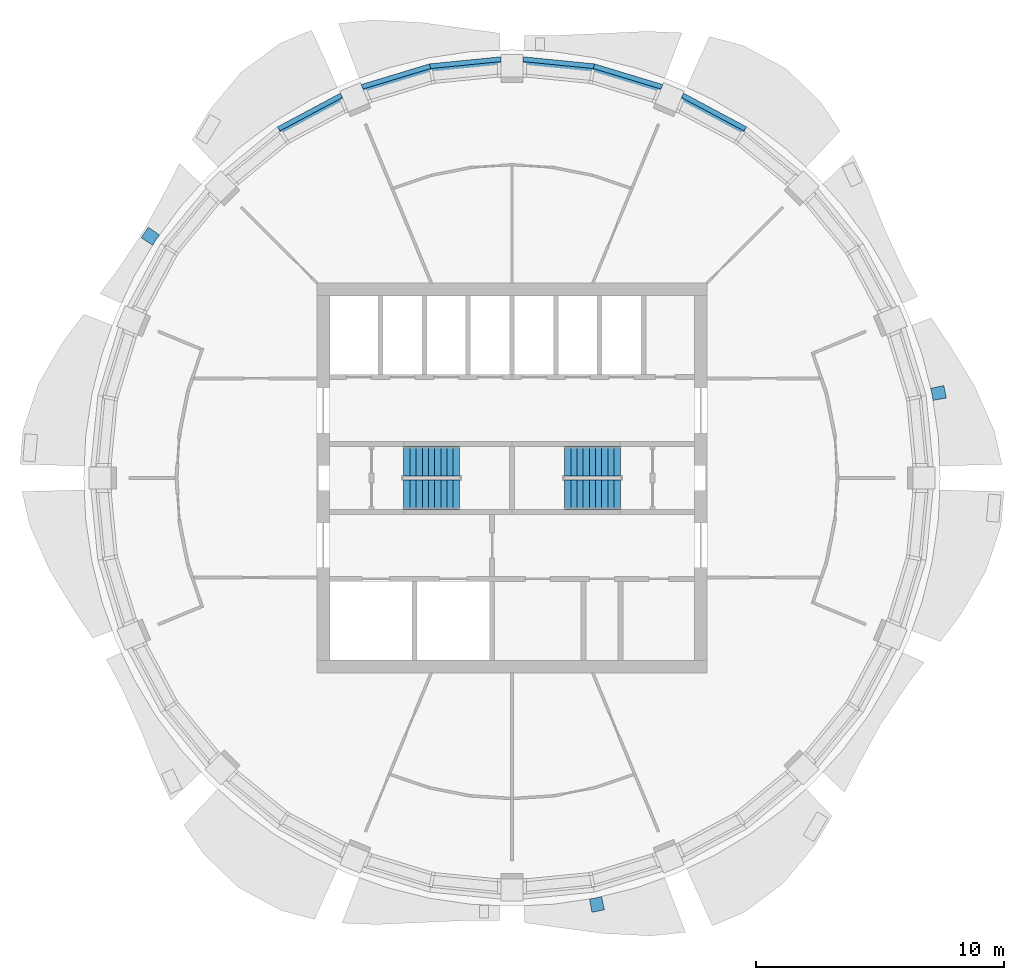
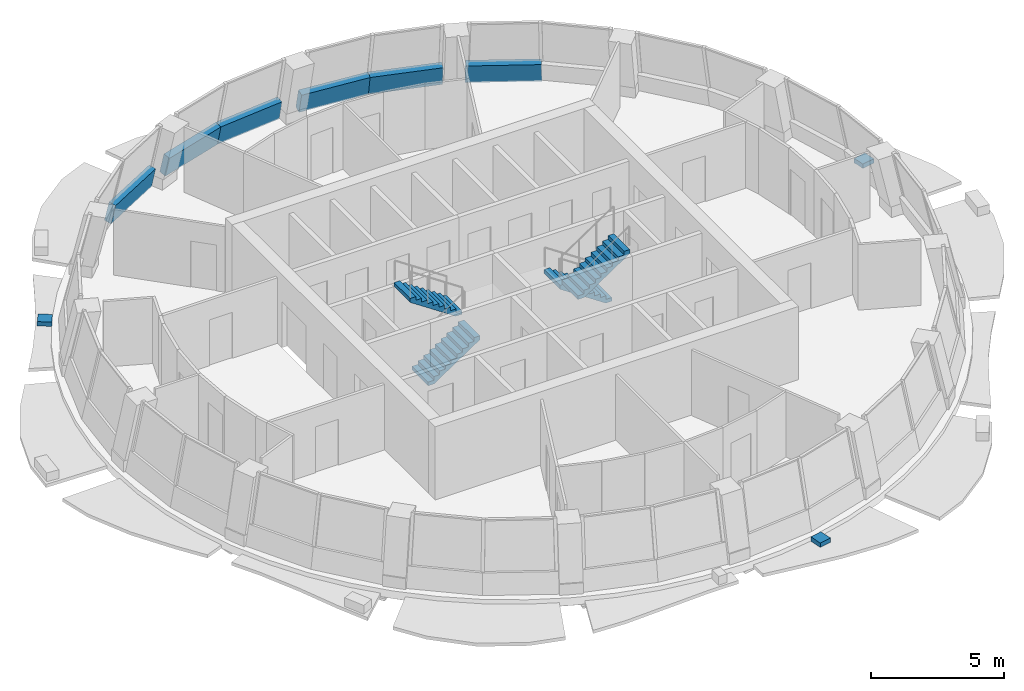
# One storey, part 7 of 11: 6 walls, 4 stair flights, 3 discrete accessories, 2 elements without a shape of their own.
"""IFC4 building model written with IfcOpenShell, lengths in metres."""

import ifcopenshell
import ifcopenshell.guid

model = None  # the IFC model being written
_history = None  # IfcOwnerHistory: only IFC2X3 demands one
_inside = {}  # id of a spatial element -> (the spatial element, [elements in it])
_under = {}  # id of a project, library or spatial element -> (it, [spatial elements below it])
_declared = {}  # id of a project -> (the project, [libraries it declares])
_typed = {}  # id of a type object -> (the type object, [elements of that type])
_made_of = {}  # id of a material, layer set ... -> (it, [elements and type objects made of it])


def new_model(schema):
    """Start an empty IFC model of exactly this schema.

    Asked for "IFC4X3", IfcOpenShell would pick the latest addendum, in which some entities
    have other attributes; the version numbers below select the first issue.
    IFC2X3 requires an IfcOwnerHistory on every rooted entity: one is made here for all.
    """
    global model, _history
    if schema == "IFC4X3":
        model = ifcopenshell.file(schema_version=(4, 3, 0, 0))
    else:
        model = ifcopenshell.file(schema=schema)
    _inside.clear()
    _under.clear()
    _declared.clear()
    _typed.clear()
    _made_of.clear()
    _history = None
    if model.schema == "IFC2X3":
        org = make("IfcOrganization", Name="unknown")
        user = make(
            "IfcPersonAndOrganization",
            ThePerson=make("IfcPerson", FamilyName="unknown"),
            TheOrganization=org,
        )
        app = make(
            "IfcApplication",
            ApplicationDeveloper=org,
            Version="unknown",
            ApplicationFullName="unknown",
            ApplicationIdentifier="unknown",
        )
        _history = make(
            "IfcOwnerHistory",
            OwningUser=user,
            OwningApplication=app,
            ChangeAction="ADDED",
            CreationDate=0,
        )
    return model


def make(cls, **values):
    """One entity of the class cls with the attributes given. An attribute that is None is left unset."""
    return model.create_entity(
        cls, **{name: value for name, value in values.items() if value is not None}
    )


def rooted(cls, **values):
    """An entity with a GlobalId (a new one), such as an element, a storey or a relation."""
    return make(cls, GlobalId=ifcopenshell.guid.new(), OwnerHistory=_history, **values)


def si_unit(unit_type, name, prefix=None):
    """IfcSIUnit, for example si_unit("LENGTHUNIT", "METRE", prefix="MILLI")."""
    return make("IfcSIUnit", UnitType=unit_type, Prefix=prefix, Name=name)


def assignment(units):
    """IfcUnitAssignment: the units of a project."""
    return None if units is None else make("IfcUnitAssignment", Units=units)


def point(xyz):
    """IfcCartesianPoint."""
    return None if xyz is None else make("IfcCartesianPoint", Coordinates=xyz)


def direction(xyz):
    """IfcDirection."""
    return None if xyz is None else make("IfcDirection", DirectionRatios=xyz)


def frame(location, z_axis=None, x_axis=None):
    """IfcAxis2Placement3D, a coordinate frame: its origin and axes. An axis left out is left unset."""
    return make(
        "IfcAxis2Placement3D",
        Location=point(location),
        Axis=direction(z_axis),
        RefDirection=direction(x_axis),
    )


def origin():
    """The frame at (0, 0, 0) with its axes left unset."""
    return frame((0.0, 0.0, 0.0))


def place(relative_to, where):
    """IfcLocalPlacement: puts the frame where relative to a parent placement (None: the world)."""
    return make(
        "IfcLocalPlacement", PlacementRelTo=relative_to, RelativePlacement=where
    )


def context(
    kind, dimensions, precision=None, world=None, true_north=None, identifier=None
):
    """IfcGeometricRepresentationContext, for example the 3D "Model" context."""
    return make(
        "IfcGeometricRepresentationContext",
        ContextIdentifier=identifier,
        ContextType=kind,
        CoordinateSpaceDimension=dimensions,
        Precision=precision,
        WorldCoordinateSystem=world,
        TrueNorth=true_north,
    )


def subcontext(parent, identifier, kind, view, scale=None):
    """IfcGeometricRepresentationSubContext, for example "Body" below "Model"."""
    return make(
        "IfcGeometricRepresentationSubContext",
        ContextIdentifier=identifier,
        ContextType=kind,
        ParentContext=parent,
        TargetScale=scale,
        TargetView=view,
    )


def project(units=None, contexts=None):
    """IfcProject with its units and contexts."""
    return rooted(
        "IfcProject",
        Name="project",
        RepresentationContexts=contexts,
        UnitsInContext=assignment(units),
    )


def spatial(cls, under=None, at=None, **own):
    """A site, building, storey or space (cls), placed at a placement, below another one or the project."""
    s = rooted(cls, ObjectPlacement=at, **own)
    if under is not None:
        _under.setdefault(under.id(), (under, []))[1].append(s)
    return s


def polyline(points):
    """IfcPolyline through the points."""
    return make("IfcPolyline", Points=[point(p) for p in points])


def outline(outer, holes=None, kind="AREA"):
    """IfcArbitraryClosedProfileDef: a profile drawn as a closed curve; with holes, ...WithVoids."""
    if holes is None:
        return make("IfcArbitraryClosedProfileDef", ProfileType=kind, OuterCurve=outer)
    return make(
        "IfcArbitraryProfileDefWithVoids",
        ProfileType=kind,
        OuterCurve=outer,
        InnerCurves=holes,
    )


def extrude(swept, where, along, depth):
    """IfcExtrudedAreaSolid: the profile swept, set in the frame where, extruded along a direction by depth."""
    return make(
        "IfcExtrudedAreaSolid",
        SweptArea=swept,
        Position=where,
        ExtrudedDirection=direction(along),
        Depth=depth,
    )


def shape(context_of_items, identifier, shape_type, items):
    """IfcShapeRepresentation: the items that make up one representation, for example the "Body"."""
    return make(
        "IfcShapeRepresentation",
        ContextOfItems=context_of_items,
        RepresentationIdentifier=identifier,
        RepresentationType=shape_type,
        Items=items,
    )


def material(Name=None, Category=None):
    """IfcMaterial."""
    return make("IfcMaterial", Name=Name, Category=Category)


def layer(
    of_material, thickness, ventilated=None, Name=None, Category=None, Priority=None
):
    """IfcMaterialLayer: one layer of a wall or slab, of a material (None: an air gap)."""
    return make(
        "IfcMaterialLayer",
        Material=of_material,
        LayerThickness=thickness,
        IsVentilated=ventilated,
        Name=Name,
        Category=Category,
        Priority=Priority,
    )


def layer_set(layers, Name=None):
    """IfcMaterialLayerSet."""
    return make("IfcMaterialLayerSet", MaterialLayers=layers, LayerSetName=Name)


def made_of(thing, what):
    """Note that an element or type object is made of a material, layer set ...; save() writes the relation."""
    if what is not None:
        _made_of.setdefault(what.id(), (what, []))[1].append(thing)
    return thing


def type_object(cls, material=None, **own):
    """A type object (cls), such as IfcWallType, which elements share."""
    return made_of(rooted(cls, **own), material)


def element(
    cls,
    number,
    at=None,
    inside=None,
    cuts=None,
    type_object=None,
    material=None,
    context=None,
    identifier="Body",
    shape_type=None,
    held_by="IfcProductDefinitionShape",
    body=None,
    shapes=None,
    **own,
):
    """One element of the class cls, such as IfcWall. Its Tag is "e" and its number.

    at: its placement. inside: the storey or other place that contains it. cuts: it is an
    opening in that element (IfcRelVoidsElement). A single representation is given by context,
    identifier, shape_type and body (its items); several are given by shapes. held_by: the class
    of the entity that holds the representations. save() writes the other relations.
    """
    e = rooted(cls, Tag="e%d" % number, ObjectPlacement=at, **own)
    if body is not None:
        shapes = [shape(context, identifier, shape_type, body)]
    if shapes is not None:
        e.Representation = make(held_by, Representations=shapes)
    if inside is not None:
        _inside.setdefault(inside.id(), (inside, []))[1].append(e)
    if cuts is not None:
        rooted(
            "IfcRelVoidsElement", RelatingBuildingElement=cuts, RelatedOpeningElement=e
        )
    if type_object is not None:
        _typed.setdefault(type_object.id(), (type_object, []))[1].append(e)
    return made_of(e, material)


def aggregate(whole, parts):
    """IfcRelAggregates: a whole, such as a stair, and the parts it consists of."""
    return rooted("IfcRelAggregates", RelatingObject=whole, RelatedObjects=parts)


def save(model, path):
    """Write the relations noted so far, then the file.

    IfcRelAggregates (storeys below a building ...), IfcRelContainedInSpatialStructure (elements
    in a storey), IfcRelDefinesByType, IfcRelAssociatesMaterial and IfcRelDeclares: one each for
    every whole, place, type object, material and project.
    """
    for whole, parts in _under.values():
        aggregate(whole, parts)
    for where, things in _inside.values():
        rooted(
            "IfcRelContainedInSpatialStructure",
            RelatedElements=things,
            RelatingStructure=where,
        )
    for kind, things in _typed.values():
        rooted("IfcRelDefinesByType", RelatedObjects=things, RelatingType=kind)
    for what, things in _made_of.values():
        rooted("IfcRelAssociatesMaterial", RelatedObjects=things, RelatingMaterial=what)
    for by, libraries in _declared.values():
        rooted("IfcRelDeclares", RelatingContext=by, RelatedDefinitions=libraries)
    model.write(path)


model = new_model("IFC4")

# Units and contexts
model_context = context("Model", 3, precision=1e-05, world=origin(), true_north=direction((0.0, 1.0)))
body_context = subcontext(model_context, "Body", "Model", "MODEL_VIEW")
ifc_project = project(units=[si_unit("LENGTHUNIT", "METRE"), si_unit("AREAUNIT", "SQUARE_METRE"), si_unit("VOLUMEUNIT", "CUBIC_METRE"), si_unit("PLANEANGLEUNIT", "RADIAN"), si_unit("MASSUNIT", "GRAM", prefix="KILO")], contexts=[model_context])

# Site, building, storey
site_placement = place(None, origin())
site = spatial("IfcSite", under=ifc_project, at=site_placement, CompositionType="ELEMENT")
building_placement = place(site_placement, origin())
building = spatial("IfcBuilding", under=site, at=building_placement, Name="Polderwave Tower", CompositionType="ELEMENT")
storey_placement = place(building_placement, frame((0.0, 0.0, 204.39990234375)))
storey = spatial("IfcBuildingStorey", under=building, at=storey_placement, Name="L55", CompositionType="ELEMENT", Elevation=204.39990234375)

# Walls
ifc_material_1 = material(Name="Concrete C50/60 (board-marked)", Category="concrete")
ifc_layer = layer(ifc_material_1, 0.300048828125)
ifc_layer_set = layer_set([ifc_layer], Name="Concrete spandrel upstand C50/60")
wall_type = type_object("IfcWallType", Name="Concrete spandrel upstand C50/60", PredefinedType="SOLIDWALL", material=ifc_layer_set)
wall_1_placement = place(storey_placement, frame((9.4755859375, 14.18115234375, 0.0), z_axis=(0.460433644275, 0.861898085138, 0.212444228104), x_axis=(-0.882032067156, 0.471189380725, 6.6202e-08)))
element("IfcWall", 1, at=wall_1_placement, inside=storey, type_object=wall_type, Name="Spandrel L55 3b", PredefinedType="SOLIDWALL", context=body_context, shape_type="SweptSolid", body=[
    extrude(outline(polyline([(0.0, 0.0), (2.888615100191614, 5.551115123125783e-17), (2.869352703083372, 0.9209239056599307), (0.019182542241019847, 0.9211741382130918), (0.0, 0.0)])), origin(), (0.0, 0.0, -1.0), 0.300048828125),
])
wall_2_placement = place(storey_placement, frame((6.091796875, 15.889404296875, 0.0), z_axis=(0.28338395091, 0.935152492223, 0.212563761391), x_axis=(-0.957023433845, 0.29001059817, 4.460531e-06)))
element("IfcWall", 2, at=wall_2_placement, inside=storey, type_object=wall_type, Name="Spandrel L55 4a", PredefinedType="SOLIDWALL", context=body_context, shape_type="SweptSolid", body=[
    extrude(outline(polyline([(0.0, 0.0), (2.8885260507207984, 0.0), (2.869278186481872, 0.9209355015571417), (0.019219181632370762, 0.9212115477480832), (0.0, 0.0)])), origin(), (0.0, 0.0, -1.0), 0.300048828125),
])
wall_3_placement = place(storey_placement, frame((3.327392578125, 16.72705078125, 0.0), z_axis=(0.09607411987, 0.972506225061, 0.212135347619), x_axis=(-0.995155769469, 0.098310703755, 4.446659e-06)))
element("IfcWall", 3, at=wall_3_placement, inside=storey, type_object=wall_type, Name="Spandrel L55 4b", PredefinedType="SOLIDWALL", context=body_context, shape_type="SweptSolid", body=[
    extrude(outline(polyline([(0.0, 0.0), (2.888743782706167, 6.938893903907228e-18), (2.8694504694765173, 0.9210976353176993), (0.019211109710525674, 0.9211237489550932), (0.0, 0.0)])), origin(), (0.0, 0.0, -1.0), 0.300048828125),
])
wall_4_placement = place(storey_placement, frame((-0.45263671875, 17.010986328125, 0.0), z_axis=(-0.096030261393, 0.97248307566, 0.212261292872), x_axis=(-0.99515974322, -0.098270470922, 4.332109e-06)))
element("IfcWall", 4, at=wall_4_placement, inside=storey, type_object=wall_type, Name="Spandrel L55 5a", PredefinedType="SOLIDWALL", context=body_context, shape_type="SweptSolid", body=[
    extrude(outline(polyline([(0.0, 0.0), (2.8887437827391578, -6.938893903907228e-18), (2.86953267296287, 0.9211237490571841), (0.019317309955234726, 0.9211491905893285), (0.0, 0.0)])), origin(), (0.0, 0.0, -1.0), 0.300048828125),
])
wall_5_placement = place(storey_placement, frame((-3.327392578125, 16.72705078125, 0.0), z_axis=(-0.28337916088, 0.935242697182, 0.212172921331), x_axis=(-0.957032145656, -0.289981848011, 2.070465e-06)))
element("IfcWall", 5, at=wall_5_placement, inside=storey, type_object=wall_type, Name="Spandrel L55 5b", PredefinedType="SOLIDWALL", context=body_context, shape_type="SweptSolid", body=[
    extrude(outline(polyline([(0.0, 0.0), (2.888526051219243, 0.0), (2.869165271437796, 0.9211123016820382), (0.019177066654742992, 0.9211244598923397), (0.0, 0.0)])), origin(), (0.0, 0.0, -1.0), 0.300048828125),
])
wall_6_placement = place(storey_placement, frame((-6.927734375, 15.542236328125, 0.0), z_axis=(-0.460490666642, 0.86194406833, 0.212133846912), x_axis=(-0.88201888422, -0.471214057348, -6.139239e-06)))
element("IfcWall", 6, at=wall_6_placement, inside=storey, type_object=wall_type, Name="Spandrel L55 6a", PredefinedType="SOLIDWALL", context=body_context, shape_type="SweptSolid", body=[
    extrude(outline(polyline([(0.0, 0.0), (2.8886150989820782, 0.0), (2.8693175227477177, 0.9211284105833573), (0.019362698188122602, 0.9210923596317686), (0.0, 0.0)])), origin(), (0.0, 0.0, -1.0), 0.300048828125),
])

# Stair, stair flights
ifc_material_2 = material(Name="Concrete C40/50", Category="concrete")
stair_type = type_object("IfcStairType", Name="Exit stair 1200 x 20 risers", PredefinedType="HALF_TURN_STAIR", material=ifc_material_2)
stair_1_placement = place(storey_placement, origin())
stair_1 = element("IfcStair", 7, at=stair_1_placement, inside=storey, type_object=stair_type, Name="L55 Exit stair A", PredefinedType="HALF_TURN_STAIR")
stair_flight_type = type_object("IfcStairFlightType", Name="Stair flight 1200", PredefinedType="STRAIGHT", material=ifc_material_2)
stair_flight_1_placement = place(storey_placement, frame((-4.3740234375, -0.675048828125, 0.0), z_axis=(0.0, 0.0, 1.0), x_axis=(1.0, 0.0, 0.0)))
stair_flight_1 = element("IfcStairFlight", 8, at=stair_flight_1_placement, type_object=stair_flight_type, Name="ST-A flight 1", NumberOfRisers=10, NumberOfTreads=9, PredefinedType="STRAIGHT", RiserHeight=0.1675, TreadLength=0.25, context=body_context, shape_type="SweptSolid", body=[
    extrude(outline(polyline([(0.0, 0.0), (0.0, 0.16748046875), (0.25, 0.16748046875), (0.25, 0.3349609375), (0.5, 0.3349609375), (0.5, 0.50244140625), (0.75, 0.50244140625), (0.75, 0.669921875), (1.0, 0.669921875), (1.0, 0.83740234375), (1.25, 0.83740234375), (1.25, 1.0048828125), (1.5, 1.0048828125), (1.5, 1.172607421875), (1.75, 1.172607421875), (1.75, 1.340087890625), (2.0, 1.340087890625), (2.0, 1.507568359375), (2.25, 1.507568359375), (2.25, 1.675048828125), (2.25, 1.3271484375), (0.269287109375, 0.0), (0.0, 0.0)])), frame((0.0, 0.60009765625, 0.0), z_axis=(0.0, -1.0, 0.0), x_axis=(1.0, 0.0, 0.0)), (0.0, 0.0, 1.0), 1.199951171875),
])
stair_flight_2_placement = place(storey_placement, frame((-2.1240234375, 0.675048828125, 1.675048828125), z_axis=(0.0, 0.0, 1.0), x_axis=(-1.0, 0.0, 0.0)))
stair_flight_2 = element("IfcStairFlight", 9, at=stair_flight_2_placement, type_object=stair_flight_type, Name="ST-A flight 2", NumberOfRisers=10, NumberOfTreads=9, PredefinedType="STRAIGHT", RiserHeight=0.1675, TreadLength=0.25, context=body_context, shape_type="SweptSolid", body=[
    extrude(outline(polyline([(0.0, 0.0), (0.0, 0.16748046875), (0.25, 0.16748046875), (0.25, 0.3349609375), (0.5, 0.3349609375), (0.5, 0.50244140625), (0.75, 0.50244140625), (0.75, 0.669921875), (1.0, 0.669921875), (1.0, 0.83740234375), (1.25, 0.83740234375), (1.25, 1.0048828125), (1.5, 1.0048828125), (1.5, 1.172607421875), (1.75, 1.172607421875), (1.75, 1.340087890625), (2.0, 1.340087890625), (2.0, 1.507568359375), (2.25, 1.507568359375), (2.25, 1.675048828125), (2.25, 1.3271484375), (0.269287109375, 0.0), (0.0, 0.0)])), frame((0.0, 0.60009765625, 0.0), z_axis=(0.0, -1.0, 0.0), x_axis=(1.0, 0.0, 0.0)), (0.0, 0.0, 1.0), 1.199951171875),
])
aggregate(stair_1, [stair_flight_1, stair_flight_2])

stair_2_placement = place(storey_placement, origin())
stair_2 = element("IfcStair", 10, at=stair_2_placement, inside=storey, type_object=stair_type, Name="L55 Exit stair B", PredefinedType="HALF_TURN_STAIR")
stair_flight_3_placement = place(storey_placement, frame((4.3740234375, 0.675048828125, 0.0), z_axis=(0.0, 0.0, 1.0), x_axis=(-1.0, 0.0, 0.0)))
stair_flight_3 = element("IfcStairFlight", 11, at=stair_flight_3_placement, type_object=stair_flight_type, Name="ST-B flight 1", NumberOfRisers=10, NumberOfTreads=9, PredefinedType="STRAIGHT", RiserHeight=0.1675, TreadLength=0.25, context=body_context, shape_type="SweptSolid", body=[
    extrude(outline(polyline([(0.0, 0.0), (0.0, 0.16748046875), (0.25, 0.16748046875), (0.25, 0.3349609375), (0.5, 0.3349609375), (0.5, 0.50244140625), (0.75, 0.50244140625), (0.75, 0.669921875), (1.0, 0.669921875), (1.0, 0.83740234375), (1.25, 0.83740234375), (1.25, 1.0048828125), (1.5, 1.0048828125), (1.5, 1.172607421875), (1.75, 1.172607421875), (1.75, 1.340087890625), (2.0, 1.340087890625), (2.0, 1.507568359375), (2.25, 1.507568359375), (2.25, 1.675048828125), (2.25, 1.3271484375), (0.269287109375, 0.0), (0.0, 0.0)])), frame((0.0, 0.60009765625, 0.0), z_axis=(0.0, -1.0, 0.0), x_axis=(1.0, 0.0, 0.0)), (0.0, 0.0, 1.0), 1.199951171875),
])
stair_flight_4_placement = place(storey_placement, frame((2.1240234375, -0.675048828125, 1.675048828125), z_axis=(0.0, 0.0, 1.0), x_axis=(1.0, 0.0, 0.0)))
stair_flight_4 = element("IfcStairFlight", 12, at=stair_flight_4_placement, type_object=stair_flight_type, Name="ST-B flight 2", NumberOfRisers=10, NumberOfTreads=9, PredefinedType="STRAIGHT", RiserHeight=0.1675, TreadLength=0.25, context=body_context, shape_type="SweptSolid", body=[
    extrude(outline(polyline([(0.0, 0.0), (0.0, 0.16748046875), (0.25, 0.16748046875), (0.25, 0.3349609375), (0.5, 0.3349609375), (0.5, 0.50244140625), (0.75, 0.50244140625), (0.75, 0.669921875), (1.0, 0.669921875), (1.0, 0.83740234375), (1.25, 0.83740234375), (1.25, 1.0048828125), (1.5, 1.0048828125), (1.5, 1.172607421875), (1.75, 1.172607421875), (1.75, 1.340087890625), (2.0, 1.340087890625), (2.0, 1.507568359375), (2.25, 1.507568359375), (2.25, 1.675048828125), (2.25, 1.3271484375), (0.269287109375, 0.0), (0.0, 0.0)])), frame((0.0, 0.60009765625, 0.0), z_axis=(0.0, -1.0, 0.0), x_axis=(1.0, 0.0, 0.0)), (0.0, 0.0, 1.0), 1.199951171875),
])
aggregate(stair_2, [stair_flight_3, stair_flight_4])

# Discrete accessories
ifc_material_3 = material(Name="Steel S355", Category="steel")
discrete_accessory_type = type_object("IfcDiscreteAccessoryType", Name="Band bracket pad", PredefinedType="BRACKET", material=ifc_material_3)
discrete_accessory_1_placement = place(storey_placement, frame((0.0, 0.0, -0.199951171875)))
element("IfcDiscreteAccessory", 13, at=discrete_accessory_1_placement, inside=storey, type_object=discrete_accessory_type, Name="Band bracket L55 1", PredefinedType="BRACKET", context=body_context, shape_type="SweptSolid", body=[
    extrude(outline(polyline([(17.00439453125, 3.127685546875), (16.967529296875, 3.375), (16.90673828125, 3.61767578125), (17.444580078125, 3.732666015625), (17.545166015625, 3.227294921875), (17.00439453125, 3.127685546875)])), origin(), (0.0, 0.0, 1.0), 0.199951171875),
])
discrete_accessory_2_placement = place(storey_placement, frame((0.0, 0.0, -0.199951171875)))
element("IfcDiscreteAccessory", 14, at=discrete_accessory_2_placement, inside=storey, type_object=discrete_accessory_type, Name="Band bracket L55 7", PredefinedType="BRACKET", context=body_context, shape_type="SweptSolid", body=[
    extrude(outline(polyline([(-14.235595703125, 9.812255859375), (-14.384521484375, 9.611328125), (-14.512939453125, 9.39697265625), (-14.974609375, 9.69580078125), (-14.688232421875, 10.124267578125), (-14.235595703125, 9.812255859375)])), origin(), (0.0, 0.0, 1.0), 0.199951171875),
])
discrete_accessory_3_placement = place(storey_placement, frame((0.0, 0.0, -0.199951171875)))
element("IfcDiscreteAccessory", 15, at=discrete_accessory_3_placement, inside=storey, type_object=discrete_accessory_type, Name="Band bracket L55 13", PredefinedType="BRACKET", context=body_context, shape_type="SweptSolid", body=[
    extrude(outline(polyline([(3.127685546875, -17.00439453125), (3.375, -16.967529296875), (3.61767578125, -16.90673828125), (3.732666015625, -17.444580078125), (3.227294921875, -17.545166015625), (3.127685546875, -17.00439453125)])), origin(), (0.0, 0.0, 1.0), 0.199951171875),
])

save(model, "model.ifc")
